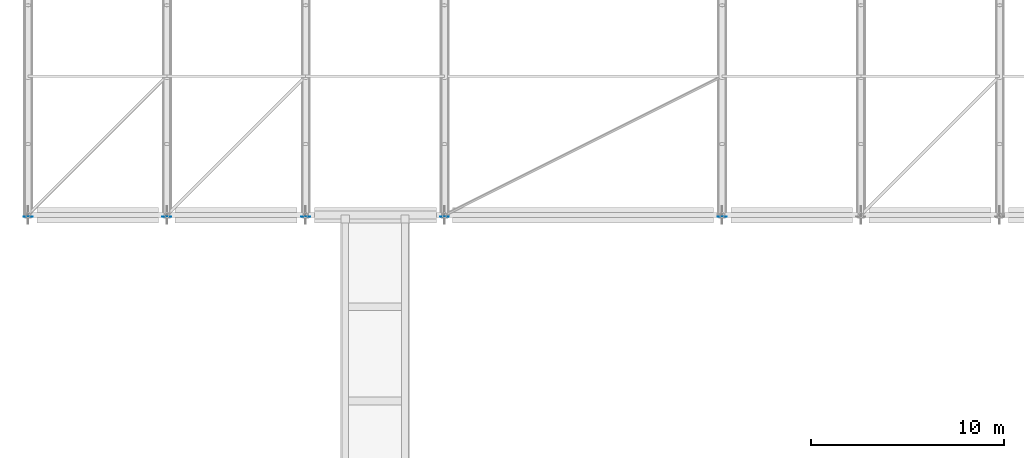
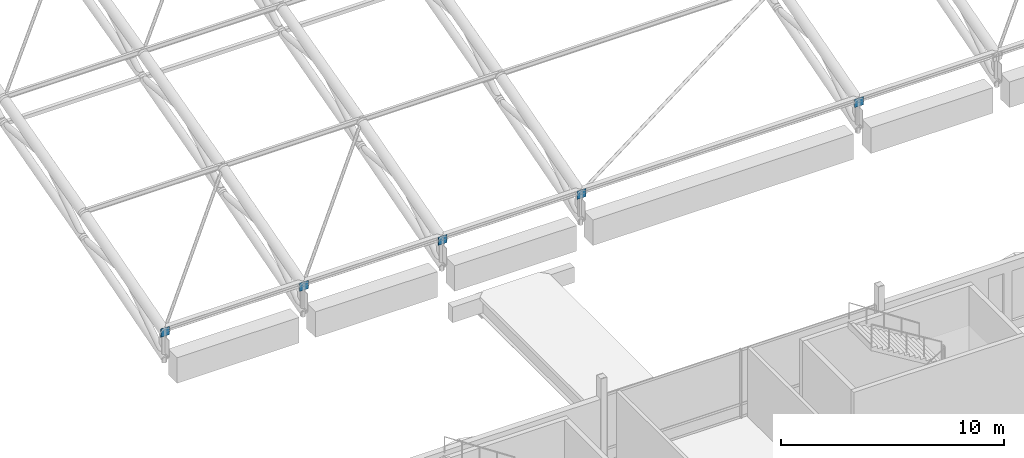
# One storey, part 124 of 193: 5 plates.
"""IFC4 building model written with IfcOpenShell, lengths in metres."""

from ifc_helpers import new_model, si_unit, direction, frame, origin, origin_2d, place, context, subcontext, project, spatial, rectangle, extrude, material, layer, layer_set, type_object, element, save


model = new_model("IFC4")

# Units and contexts
model_context = context("Model", 3, precision=1e-05, world=origin(), true_north=direction((0.0, 1.0)))
body_context = subcontext(model_context, "Body", "Model", "MODEL_VIEW")
ifc_project = project(units=[si_unit("LENGTHUNIT", "METRE"), si_unit("AREAUNIT", "SQUARE_METRE"), si_unit("VOLUMEUNIT", "CUBIC_METRE"), si_unit("PLANEANGLEUNIT", "RADIAN"), si_unit("MASSUNIT", "GRAM", prefix="KILO")], contexts=[model_context])

# Site, building, storey
site_placement = place(None, origin())
site = spatial("IfcSite", under=ifc_project, at=site_placement, CompositionType="ELEMENT")
building_placement = place(site_placement, origin())
building = spatial("IfcBuilding", under=site, at=building_placement, Name="Cendralis Lancet Convention Centre", CompositionType="ELEMENT")
storey_placement = place(building_placement, frame((0.0, 0.0, 10.199951171875)))
storey = spatial("IfcBuildingStorey", under=building, at=storey_placement, Name="L02", CompositionType="ELEMENT", Elevation=10.199951171875)

# Plates
ifc_material = material(Name="Steel S355", Category="steel")
ifc_layer = layer(ifc_material, 0.02001953125, Name="Steel S355")
ifc_layer_set = layer_set([ifc_layer], Name="Steel S355")
plate_type = type_object("IfcPlateType", Name="STR-PL-EC20", PredefinedType="USERDEFINED", material=ifc_layer_set)
for number, where, z_axis, x_axis, name in (
    (1, (0.0, 50.31005859375, 3.3701171875), (0.0, 0.0, 1.0), (1.0, 0.0, 0.0), "Truss End Cap Plate EC-20 AT-V1-01-CAPS"),
    (2, (7.199951171875, 50.31005859375, 3.3701171875), (0.0, 0.0, 1.0), (1.0, 0.0, 0.0), "Truss End Cap Plate EC-20 AT-V1-02-CAPS"),
    (3, (14.39990234375, 50.31005859375, 3.3701171875), (0.0, 0.0, 1.0), (1.0, 0.0, 0.0), "Truss End Cap Plate EC-20 AT-V1-03-CAPS"),
    (4, (21.60009765625, 50.31005859375, 3.3701171875), (0.0, 0.0, 1.0), (1.0, 0.0, 0.0), "Truss End Cap Plate EC-20 AT-V1-04-CAPS"),
    (5, (36.0, 50.31005859375, 3.3701171875), (0.0, 0.0, 1.0), (1.0, 0.0, 0.0), "Truss End Cap Plate EC-20 AT-V1-05-CAPS"),
):
    element("IfcPlate", number, at=place(storey_placement, frame(where, z_axis=z_axis, x_axis=x_axis)), inside=storey, type_object=plate_type, Name=name, ObjectType="GUSSET PLATE", PredefinedType="USERDEFINED", context=body_context, shape_type="SweptSolid", body=[
        extrude(rectangle(XDim=0.4599609375, YDim=0.02001953125, at=origin_2d()), origin(), (0.0, 0.0, 1.0), 0.4599609375),
    ])

save(model, "model.ifc")
